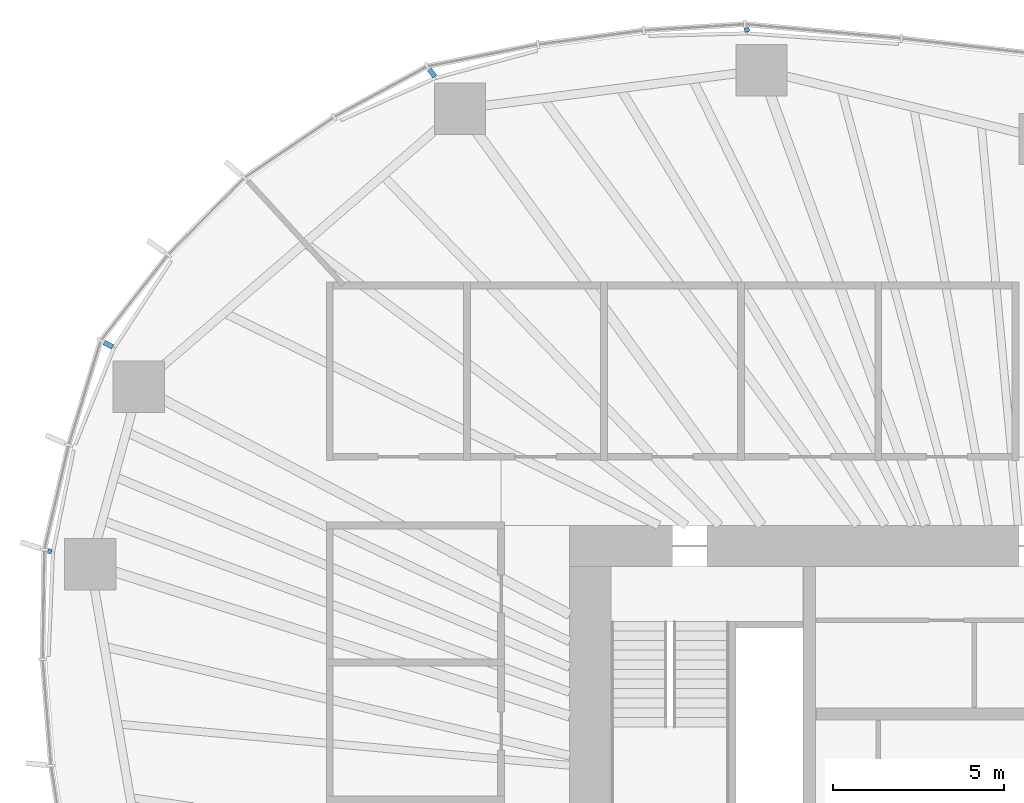
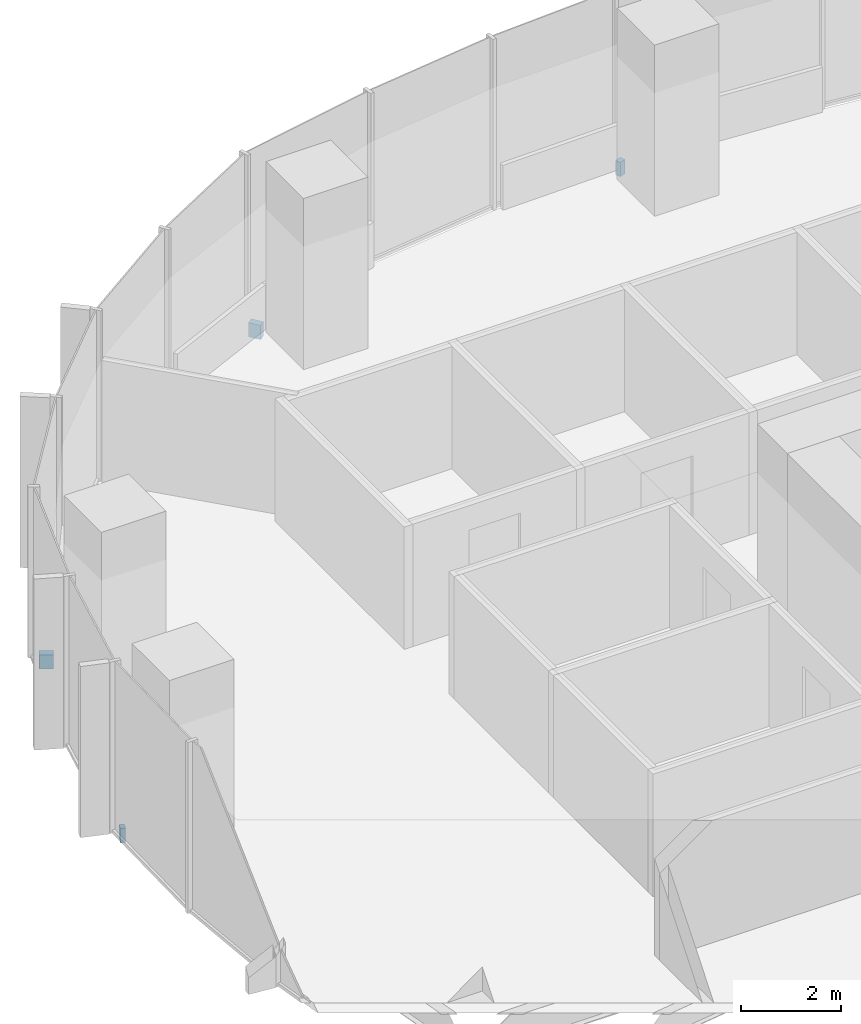
# One storey, part 15 of 18: 4 discrete accessories.
"""IFC4 building model written with IfcOpenShell, lengths in metres."""

from ifc_helpers import new_model, si_unit, direction, frame, origin, origin_2d, place, context, subcontext, project, spatial, rectangle, extrude, material, type_object, element, save


model = new_model("IFC4")

# Units and contexts
model_context = context("Model", 3, precision=1e-05, world=origin(), true_north=direction((0.0, 1.0)))
body_context = subcontext(model_context, "Body", "Model", "MODEL_VIEW")
ifc_project = project(units=[si_unit("LENGTHUNIT", "METRE"), si_unit("AREAUNIT", "SQUARE_METRE"), si_unit("VOLUMEUNIT", "CUBIC_METRE"), si_unit("PLANEANGLEUNIT", "RADIAN"), si_unit("MASSUNIT", "GRAM", prefix="KILO")], contexts=[model_context])

# Site, building, storey
site_placement = place(None, origin())
site = spatial("IfcSite", under=ifc_project, at=site_placement, CompositionType="ELEMENT")
building_placement = place(site_placement, origin())
building = spatial("IfcBuilding", under=site, at=building_placement, Name="Ghaith Harvest Tower", CompositionType="ELEMENT")
storey_placement = place(building_placement, frame((0.0, 0.0, 134.39990234375)))
storey = spatial("IfcBuildingStorey", under=building, at=storey_placement, Name="L28", CompositionType="ELEMENT", Elevation=134.39990234375)

# Discrete accessories
ifc_material_1 = material(Name="Stainless steel grade 1.4401", Category="steel")
discrete_accessory_type_1 = type_object("IfcDiscreteAccessoryType", Name="CURTAIN WALL BRACKET 105", PredefinedType="BRACKET", material=ifc_material_1)
discrete_accessory_1_placement = place(storey_placement, frame((-29.171875, 9.2451171875, -0.25), z_axis=(0.0, 0.0, 1.0), x_axis=(-0.953273219358, 0.302109531884, 0.0)))
element("IfcDiscreteAccessory", 1, at=discrete_accessory_1_placement, inside=storey, type_object=discrete_accessory_type_1, Name="CW-L bracket 1 bay 10 L28", PredefinedType="BRACKET", context=body_context, shape_type="SweptSolid", body=[
    extrude(rectangle(XDim=0.10498046875, YDim=0.14990234375, at=origin_2d()), origin(), (0.0, 0.0, 1.0), 0.35009765625),
])
ifc_material_2 = material(Name="Stainless steel grade 1.4401", Category="steel")
discrete_accessory_type_2 = type_object("IfcDiscreteAccessoryType", Name="CURTAIN WALL BRACKET 125", PredefinedType="BRACKET", material=ifc_material_2)
discrete_accessory_2_placement = place(storey_placement, frame((-8.833984375, 24.45849609375, -0.25), z_axis=(0.0, 0.0, 1.0), x_axis=(-0.339699453402, 0.94053404051, 0.0)))
element("IfcDiscreteAccessory", 2, at=discrete_accessory_2_placement, inside=storey, type_object=discrete_accessory_type_2, Name="CW-L bracket 1 bay 07 L28", PredefinedType="BRACKET", context=body_context, shape_type="SweptSolid", body=[
    extrude(rectangle(XDim=0.125, YDim=0.14990234375, at=origin_2d()), origin(), (0.0, 0.0, 1.0), 0.35009765625),
])
ifc_material_3 = material(Name="Stainless steel grade 1.4401", Category="steel")
discrete_accessory_type_3 = type_object("IfcDiscreteAccessoryType", Name="CURTAIN WALL BRACKET 265", PredefinedType="BRACKET", material=ifc_material_3)
discrete_accessory_3_placement = place(storey_placement, frame((-18.0166015625, 23.197998046875, -0.25), z_axis=(0.0, 0.0, 1.0), x_axis=(-0.613377714422, 0.78978970584, 0.0)))
element("IfcDiscreteAccessory", 3, at=discrete_accessory_3_placement, inside=storey, type_object=discrete_accessory_type_3, Name="CW-L bracket 1 bay 08 L28", PredefinedType="BRACKET", context=body_context, shape_type="SweptSolid", body=[
    extrude(rectangle(XDim=0.264892578125, YDim=0.14990234375, at=origin_2d()), origin(), (0.0, 0.0, 1.0), 0.35009765625),
])
ifc_material_4 = material(Name="Stainless steel grade 1.4401", Category="steel")
discrete_accessory_type_4 = type_object("IfcDiscreteAccessoryType", Name="CURTAIN WALL BRACKET 285", PredefinedType="BRACKET", material=ifc_material_4)
discrete_accessory_4_placement = place(storey_placement, frame((-27.45849609375, 15.271728515625, -0.25), z_axis=(0.0, 0.0, 1.0), x_axis=(-0.873926916005, 0.486057347935, 0.0)))
element("IfcDiscreteAccessory", 4, at=discrete_accessory_4_placement, inside=storey, type_object=discrete_accessory_type_4, Name="CW-L bracket 2 bay 09 L28", PredefinedType="BRACKET", context=body_context, shape_type="SweptSolid", body=[
    extrude(rectangle(XDim=0.284912109375, YDim=0.14990234375, at=origin_2d()), origin(), (0.0, 0.0, 1.0), 0.35009765625),
])

save(model, "model.ifc")
